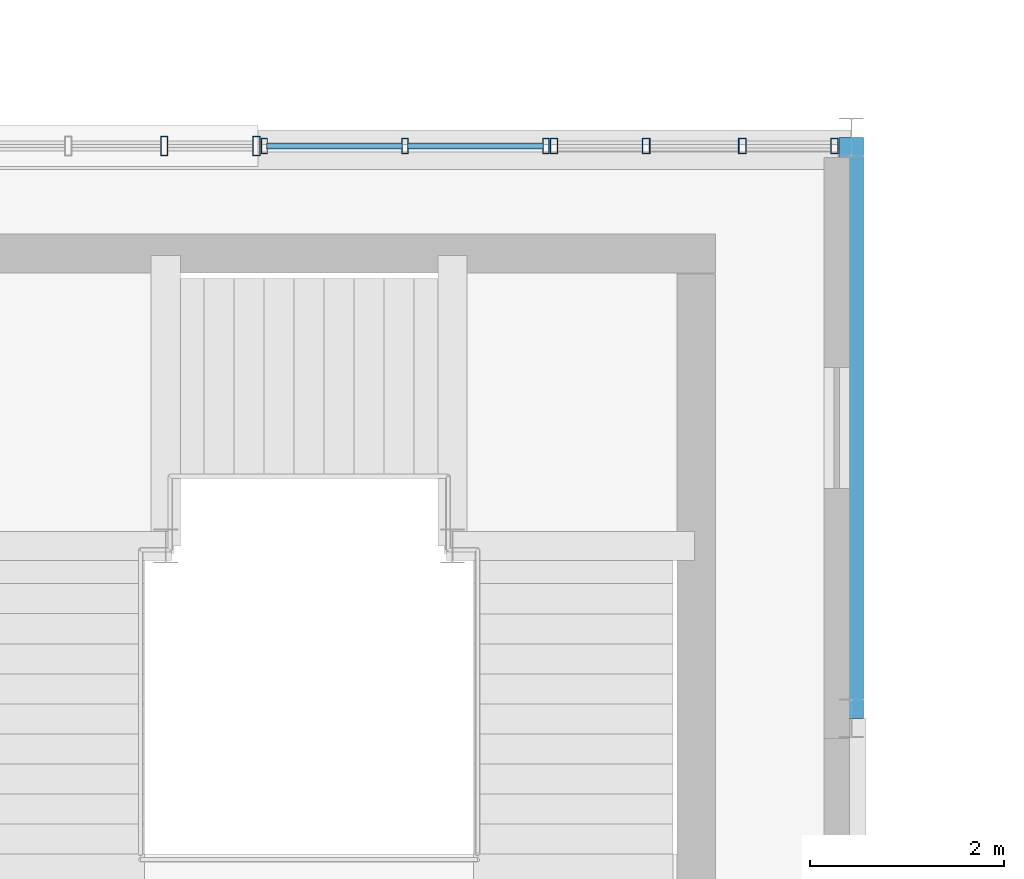
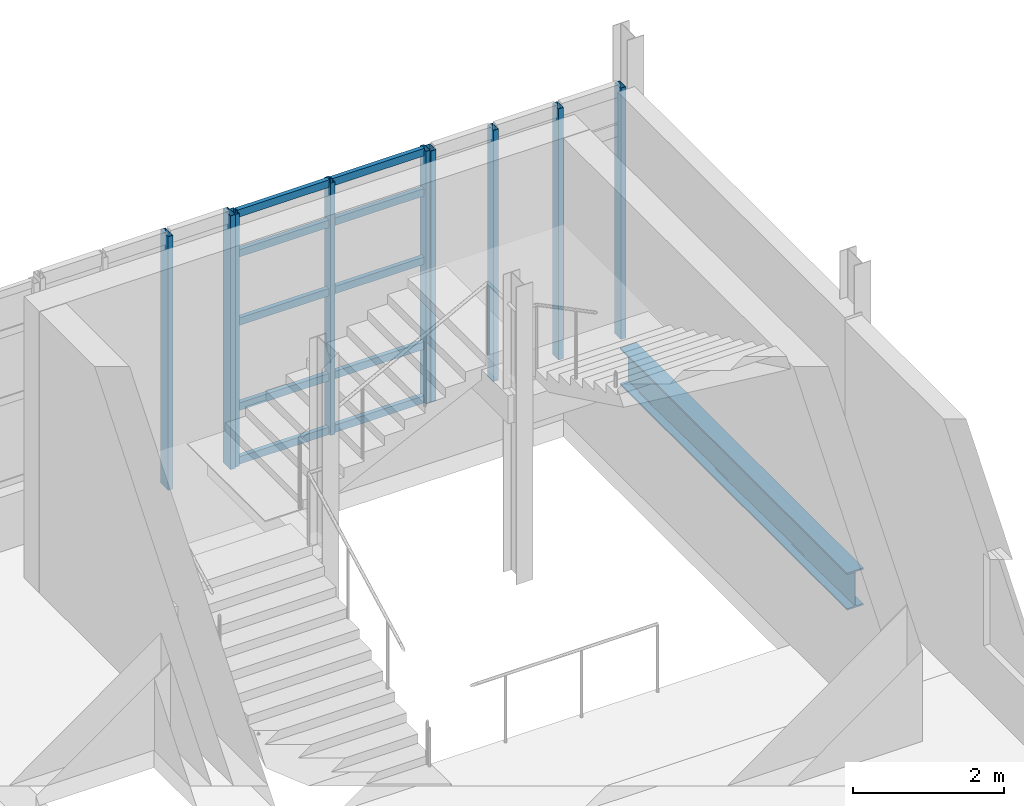
# One storey, part 79 of 127: 19 members, 1 beam, 3 elements without a shape of their own.
"""IFC4 building model written with IfcOpenShell, lengths in metres."""

from ifc_helpers import new_model, si_unit, derived_unit, direction, frame, origin, origin_2d, place, context, subcontext, project, spatial, hollow_rectangle, i_section, extrude, material, layer, layer_set, material_profile, profile_set, type_object, element, aggregate, save


model = new_model("IFC4")

# Units and contexts
model_context = context("Model", 3, precision=1e-05, world=origin(), true_north=direction((0.0, 1.0)))
body_context = subcontext(model_context, "Body", "Model", "MODEL_VIEW")
ifc_project = project(units=[si_unit("LENGTHUNIT", "METRE"), si_unit("AREAUNIT", "SQUARE_METRE"), si_unit("VOLUMEUNIT", "CUBIC_METRE"), si_unit("PLANEANGLEUNIT", "RADIAN"), si_unit("MASSUNIT", "GRAM", prefix="KILO"), derived_unit("THERMALTRANSMITTANCEUNIT", [(si_unit("POWERUNIT", "WATT"), 1), (si_unit("LENGTHUNIT", "METRE"), -2), (si_unit("THERMODYNAMICTEMPERATUREUNIT", "KELVIN"), -1)])], contexts=[model_context])

# Site, building, storey
site_placement = place(None, origin())
site = spatial("IfcSite", under=ifc_project, at=site_placement, CompositionType="ELEMENT")
building_placement = place(site_placement, origin())
building = spatial("IfcBuilding", under=site, at=building_placement, Name="Nallur Shell Playhouse", CompositionType="ELEMENT")
storey_placement = place(building_placement, frame((0.0, 0.0, 5.39990234375)))
storey = spatial("IfcBuildingStorey", under=building, at=storey_placement, Name="L02", CompositionType="ELEMENT", Elevation=5.39990234375)

# Beam
ifc_material_1 = material(Name="Steel E350", Category="steel")
ifc_material_profile_1 = material_profile(ifc_material_1, i_section(OverallWidth=0.25, OverallDepth=0.60009765625, WebThickness=0.01171875, FlangeThickness=0.023681640625, FilletRadius=0.01708984375, at=origin_2d()), Name="ISWB 600")
ifc_profile_set_1 = profile_set([ifc_material_profile_1], Name="Steel E350")
beam_type = type_object("IfcBeamType", Name="BM-ST-ISWB600", PredefinedType="BEAM", material=ifc_profile_set_1)
beam_placement = place(storey_placement, frame((159.800048828125, 50.0, -0.579833984375), z_axis=(0.0, 1.0, 0.0), x_axis=(-1.0, 0.0, 0.0)))
element("IfcBeam", 1, at=beam_placement, inside=storey, type_object=beam_type, Name="L02 girder Y-19-465", PredefinedType="BEAM", context=body_context, shape_type="SweptSolid", body=[
    extrude(i_section(OverallWidth=0.25, OverallDepth=0.60009765625, WebThickness=0.01171875, FlangeThickness=0.023681640625, FilletRadius=0.01708984375, at=origin_2d()), origin(), (0.0, 0.0, 1.0), 6.0),
])

# Curtain wall, members
ifc_material_2 = material(Name="Anodised Aluminium Double-Glazed Facade System", Category="aluminium")
ifc_layer_1 = layer(ifc_material_2, 0.159912109375)
ifc_layer_set_1 = layer_set([ifc_layer_1], Name="Anodised Aluminium Double-Glazed Facade System")
curtain_wall_type_1 = type_object("IfcCurtainWallType", Name="CW-UNIT-06", PredefinedType="NOTDEFINED", material=ifc_layer_set_1)
curtain_wall_1_placement = place(storey_placement, origin())
curtain_wall_1 = element("IfcCurtainWall", 2, at=curtain_wall_1_placement, inside=storey, type_object=curtain_wall_type_1, Name="Unitised curtain wall CW-038 (L02)", PredefinedType="NOTDEFINED")
ifc_material_3 = material(Name="Aluminium Alloy 6063-T6 Mullion", Category="aluminium")
ifc_material_profile_2 = material_profile(ifc_material_3, hollow_rectangle(XDim=0.080078125, YDim=0.159912109375, WallThickness=0.006103515625, at=origin_2d()), Name="RHS 160x80x6")
ifc_profile_set_2 = profile_set([ifc_material_profile_2], Name="Aluminium Alloy 6063-T6 Mullion")
member_type_1 = type_object("IfcMemberType", Name="MB-CW-MUL150", PredefinedType="MULLION", material=ifc_profile_set_2)
member_1_placement = place(storey_placement, frame((156.728515625, 55.909912109375, -0.014892578125), z_axis=(0.0, 0.0, 1.0), x_axis=(1.0, 0.0, 0.0)))
member_1 = element("IfcMember", 3, at=member_1_placement, type_object=member_type_1, Name="CW-06 mullion 1", PredefinedType="MULLION", context=body_context, shape_type="SweptSolid", body=[
    extrude(hollow_rectangle(XDim=0.080078125, YDim=0.159912109375, WallThickness=0.006103515625, at=origin_2d()), origin(), (0.0, 0.0, 1.0), 4.053955078125),
])
member_2_placement = place(storey_placement, frame((157.681396484375, 55.909912109375, -0.014892578125), z_axis=(0.0, 0.0, 1.0), x_axis=(1.0, 0.0, 0.0)))
member_2 = element("IfcMember", 4, at=member_2_placement, type_object=member_type_1, Name="CW-06 mullion 2", PredefinedType="MULLION", context=body_context, shape_type="SweptSolid", body=[
    extrude(hollow_rectangle(XDim=0.080078125, YDim=0.159912109375, WallThickness=0.006103515625, at=origin_2d()), origin(), (0.0, 0.0, 1.0), 4.053955078125),
])
member_3_placement = place(storey_placement, frame((158.674072265625, 55.909912109375, -0.014892578125), z_axis=(0.0, 0.0, 1.0), x_axis=(1.0, 0.0, 0.0)))
member_3 = element("IfcMember", 5, at=member_3_placement, type_object=member_type_1, Name="CW-06 mullion 3", PredefinedType="MULLION", context=body_context, shape_type="SweptSolid", body=[
    extrude(hollow_rectangle(XDim=0.080078125, YDim=0.159912109375, WallThickness=0.006103515625, at=origin_2d()), origin(), (0.0, 0.0, 1.0), 4.053955078125),
])
member_4_placement = place(storey_placement, frame((159.626953125, 55.909912109375, -0.014892578125), z_axis=(0.0, 0.0, 1.0), x_axis=(1.0, 0.0, 0.0)))
member_4 = element("IfcMember", 6, at=member_4_placement, type_object=member_type_1, Name="CW-06 mullion 4", PredefinedType="MULLION", context=body_context, shape_type="SweptSolid", body=[
    extrude(hollow_rectangle(XDim=0.080078125, YDim=0.159912109375, WallThickness=0.006103515625, at=origin_2d()), origin(), (0.0, 0.0, 1.0), 4.053955078125),
])
aggregate(curtain_wall_1, [member_1, member_2, member_3, member_4])

ifc_layer_2 = layer(ifc_material_2, 0.179931640625)
ifc_layer_set_2 = layer_set([ifc_layer_2], Name="Anodised Aluminium Double-Glazed Facade System")
curtain_wall_type_2 = type_object("IfcCurtainWallType", Name="CW-UNIT-05", PredefinedType="NOTDEFINED", material=ifc_layer_set_2)
curtain_wall_2_placement = place(storey_placement, origin())
curtain_wall_2 = element("IfcCurtainWall", 7, at=curtain_wall_2_placement, inside=storey, type_object=curtain_wall_type_2, Name="Unitised curtain wall CW-037 (L02)", PredefinedType="NOTDEFINED")
ifc_material_profile_3 = material_profile(ifc_material_3, hollow_rectangle(XDim=0.06494140625, YDim=0.159912109375, WallThickness=0.00390625, at=origin_2d()), Name="ALU 65x160x4")
ifc_profile_set_3 = profile_set([ifc_material_profile_3], Name="Aluminium Alloy 6063-T6 Mullion")
member_type_2 = type_object("IfcMemberType", Name="MB-CW-MUL160", PredefinedType="MULLION", material=ifc_profile_set_3)
member_5_placement = place(storey_placement, frame((153.737548828125, 55.909912109375, -0.014892578125), z_axis=(0.0, 0.0, 1.0), x_axis=(1.0, 0.0, 0.0)))
member_5 = element("IfcMember", 8, at=member_5_placement, type_object=member_type_2, Name="CW-05 mullion 1", PredefinedType="MULLION", context=body_context, shape_type="SweptSolid", body=[
    extrude(hollow_rectangle(XDim=0.06494140625, YDim=0.159912109375, WallThickness=0.00390625, at=origin_2d()), origin(), (0.0, 0.0, 1.0), 4.073974609375),
])
member_6_placement = place(storey_placement, frame((155.191650390625, 55.909912109375, -0.014892578125), z_axis=(0.0, 0.0, 1.0), x_axis=(1.0, 0.0, 0.0)))
member_6 = element("IfcMember", 9, at=member_6_placement, type_object=member_type_2, Name="CW-05 mullion 2", PredefinedType="MULLION", context=body_context, shape_type="SweptSolid", body=[
    extrude(hollow_rectangle(XDim=0.06494140625, YDim=0.159912109375, WallThickness=0.00390625, at=origin_2d()), origin(), (0.0, 0.0, 1.0), 4.073974609375),
])
member_7_placement = place(storey_placement, frame((156.64599609375, 55.909912109375, -0.014892578125), z_axis=(0.0, 0.0, 1.0), x_axis=(1.0, 0.0, 0.0)))
member_7 = element("IfcMember", 10, at=member_7_placement, type_object=member_type_2, Name="CW-05 mullion 3", PredefinedType="MULLION", context=body_context, shape_type="SweptSolid", body=[
    extrude(hollow_rectangle(XDim=0.06494140625, YDim=0.159912109375, WallThickness=0.00390625, at=origin_2d()), origin(), (0.0, 0.0, 1.0), 4.073974609375),
])

ifc_layer_3 = layer(ifc_material_2, 0.176025390625)
ifc_layer_set_3 = layer_set([ifc_layer_3], Name="Anodised Aluminium Double-Glazed Facade System")
curtain_wall_type_3 = type_object("IfcCurtainWallType", Name="CW-UNIT-04", PredefinedType="NOTDEFINED", material=ifc_layer_set_3)
curtain_wall_3_placement = place(storey_placement, origin())
curtain_wall_3 = element("IfcCurtainWall", 11, at=curtain_wall_3_placement, inside=storey, type_object=curtain_wall_type_3, Name="Unitised curtain wall CW-036 (L02)", PredefinedType="NOTDEFINED")
ifc_material_profile_4 = material_profile(ifc_material_3, hollow_rectangle(XDim=0.074951171875, YDim=0.199951171875, WallThickness=0.0048828125, at=origin_2d()), Name="ALU 75x200x5")
ifc_profile_set_4 = profile_set([ifc_material_profile_4], Name="Aluminium Alloy 6063-T6 Mullion")
member_type_3 = type_object("IfcMemberType", Name="MB-CW-MUL180", PredefinedType="MULLION", material=ifc_profile_set_4)
member_8_placement = place(storey_placement, frame((152.703857421875, 55.909912109375, -0.014892578125), z_axis=(0.0, 0.0, 1.0), x_axis=(1.0, 0.0, 0.0)))
member_8 = element("IfcMember", 12, at=member_8_placement, type_object=member_type_3, Name="CW-04 mullion 3", PredefinedType="MULLION", context=body_context, shape_type="SweptSolid", body=[
    extrude(hollow_rectangle(XDim=0.074951171875, YDim=0.199951171875, WallThickness=0.0048828125, at=origin_2d()), origin(), (0.0, 0.0, 1.0), 4.093994140625),
])
member_9_placement = place(storey_placement, frame((153.657470703125, 55.909912109375, -0.014892578125), z_axis=(0.0, 0.0, 1.0), x_axis=(1.0, 0.0, 0.0)))
member_9 = element("IfcMember", 13, at=member_9_placement, type_object=member_type_3, Name="CW-04 mullion 4", PredefinedType="MULLION", context=body_context, shape_type="SweptSolid", body=[
    extrude(hollow_rectangle(XDim=0.074951171875, YDim=0.199951171875, WallThickness=0.0048828125, at=origin_2d()), origin(), (0.0, 0.0, 1.0), 4.093994140625),
])
aggregate(curtain_wall_3, [member_8, member_9])

# Member
ifc_material_4 = material(Name="Aluminium Alloy 6063-T6 Transom", Category="aluminium")
ifc_material_profile_5 = material_profile(ifc_material_4, hollow_rectangle(XDim=0.06494140625, YDim=0.1201171875, WallThickness=0.00390625, at=origin_2d()), Name="ALU 65x120x4")
ifc_profile_set_5 = profile_set([ifc_material_profile_5], Name="Aluminium Alloy 6063-T6 Transom")
member_type_4 = type_object("IfcMemberType", Name="MB-CW-TRN120", PredefinedType="USERDEFINED", material=ifc_profile_set_5)
member_10_placement = place(storey_placement, frame((153.761962890625, 55.909912109375, 0.03271484375), z_axis=(1.0, 0.0, 0.0), x_axis=(0.0, 1.0, 0.0)))
member_10 = element("IfcMember", 14, at=member_10_placement, type_object=member_type_4, Name="CW-05 transom 1.1", ObjectType="TRANSOM", PredefinedType="USERDEFINED", context=body_context, shape_type="SweptSolid", body=[
    extrude(hollow_rectangle(XDim=0.06494140625, YDim=0.1201171875, WallThickness=0.00390625, at=origin_2d()), origin(), (0.0, 0.0, 1.0), 1.4052734375),
])

member_11_placement = place(storey_placement, frame((153.761962890625, 55.909912109375, 0.900146484375), z_axis=(1.0, 0.0, 0.0), x_axis=(0.0, 1.0, 0.0)))
member_11 = element("IfcMember", 15, at=member_11_placement, type_object=member_type_4, Name="CW-05 transom 1.2", ObjectType="TRANSOM", PredefinedType="USERDEFINED", context=body_context, shape_type="SweptSolid", body=[
    extrude(hollow_rectangle(XDim=0.06494140625, YDim=0.1201171875, WallThickness=0.00390625, at=origin_2d()), origin(), (0.0, 0.0, 1.0), 1.4052734375),
])

member_12_placement = place(storey_placement, frame((153.761962890625, 55.909912109375, 2.27099609375), z_axis=(1.0, 0.0, 0.0), x_axis=(0.0, 1.0, 0.0)))
member_12 = element("IfcMember", 16, at=member_12_placement, type_object=member_type_4, Name="CW-05 transom 1.3", ObjectType="TRANSOM", PredefinedType="USERDEFINED", context=body_context, shape_type="SweptSolid", body=[
    extrude(hollow_rectangle(XDim=0.06494140625, YDim=0.1201171875, WallThickness=0.00390625, at=origin_2d()), origin(), (0.0, 0.0, 1.0), 1.4052734375),
])

member_13_placement = place(storey_placement, frame((153.761962890625, 55.909912109375, 3.375), z_axis=(1.0, 0.0, 0.0), x_axis=(0.0, 1.0, 0.0)))
member_13 = element("IfcMember", 17, at=member_13_placement, type_object=member_type_4, Name="CW-05 transom 1.4", ObjectType="TRANSOM", PredefinedType="USERDEFINED", context=body_context, shape_type="SweptSolid", body=[
    extrude(hollow_rectangle(XDim=0.06494140625, YDim=0.1201171875, WallThickness=0.00390625, at=origin_2d()), origin(), (0.0, 0.0, 1.0), 1.4052734375),
])

member_14_placement = place(storey_placement, frame((153.761962890625, 55.909912109375, 4.022705078125), z_axis=(1.0, 0.0, 0.0), x_axis=(0.0, 1.0, 0.0)))
member_14 = element("IfcMember", 18, at=member_14_placement, type_object=member_type_4, Name="CW-05 transom 1.5", ObjectType="TRANSOM", PredefinedType="USERDEFINED", context=body_context, shape_type="SweptSolid", body=[
    extrude(hollow_rectangle(XDim=0.06494140625, YDim=0.1201171875, WallThickness=0.00390625, at=origin_2d()), origin(), (0.0, 0.0, 1.0), 1.4052734375),
])

member_15_placement = place(storey_placement, frame((155.21630859375, 55.909912109375, 0.03271484375), z_axis=(1.0, 0.0, 0.0), x_axis=(0.0, 1.0, 0.0)))
member_15 = element("IfcMember", 19, at=member_15_placement, type_object=member_type_4, Name="CW-05 transom 2.1", ObjectType="TRANSOM", PredefinedType="USERDEFINED", context=body_context, shape_type="SweptSolid", body=[
    extrude(hollow_rectangle(XDim=0.06494140625, YDim=0.1201171875, WallThickness=0.00390625, at=origin_2d()), origin(), (0.0, 0.0, 1.0), 1.4052734375),
])

member_16_placement = place(storey_placement, frame((155.21630859375, 55.909912109375, 0.900146484375), z_axis=(1.0, 0.0, 0.0), x_axis=(0.0, 1.0, 0.0)))
member_16 = element("IfcMember", 20, at=member_16_placement, type_object=member_type_4, Name="CW-05 transom 2.2", ObjectType="TRANSOM", PredefinedType="USERDEFINED", context=body_context, shape_type="SweptSolid", body=[
    extrude(hollow_rectangle(XDim=0.06494140625, YDim=0.1201171875, WallThickness=0.00390625, at=origin_2d()), origin(), (0.0, 0.0, 1.0), 1.4052734375),
])

member_17_placement = place(storey_placement, frame((155.21630859375, 55.909912109375, 2.27099609375), z_axis=(1.0, 0.0, 0.0), x_axis=(0.0, 1.0, 0.0)))
member_17 = element("IfcMember", 21, at=member_17_placement, type_object=member_type_4, Name="CW-05 transom 2.3", ObjectType="TRANSOM", PredefinedType="USERDEFINED", context=body_context, shape_type="SweptSolid", body=[
    extrude(hollow_rectangle(XDim=0.06494140625, YDim=0.1201171875, WallThickness=0.00390625, at=origin_2d()), origin(), (0.0, 0.0, 1.0), 1.4052734375),
])

member_18_placement = place(storey_placement, frame((155.21630859375, 55.909912109375, 3.375), z_axis=(1.0, 0.0, 0.0), x_axis=(0.0, 1.0, 0.0)))
member_18 = element("IfcMember", 22, at=member_18_placement, type_object=member_type_4, Name="CW-05 transom 2.4", ObjectType="TRANSOM", PredefinedType="USERDEFINED", context=body_context, shape_type="SweptSolid", body=[
    extrude(hollow_rectangle(XDim=0.06494140625, YDim=0.1201171875, WallThickness=0.00390625, at=origin_2d()), origin(), (0.0, 0.0, 1.0), 1.4052734375),
])

member_19_placement = place(storey_placement, frame((155.21630859375, 55.909912109375, 4.022705078125), z_axis=(1.0, 0.0, 0.0), x_axis=(0.0, 1.0, 0.0)))
member_19 = element("IfcMember", 23, at=member_19_placement, type_object=member_type_4, Name="CW-05 transom 2.5", ObjectType="TRANSOM", PredefinedType="USERDEFINED", context=body_context, shape_type="SweptSolid", body=[
    extrude(hollow_rectangle(XDim=0.06494140625, YDim=0.1201171875, WallThickness=0.00390625, at=origin_2d()), origin(), (0.0, 0.0, 1.0), 1.4052734375),
])

aggregate(curtain_wall_2, [member_5, member_6, member_7, member_10, member_11, member_12, member_13, member_14, member_15, member_16, member_17, member_18, member_19])

save(model, "model.ifc")
